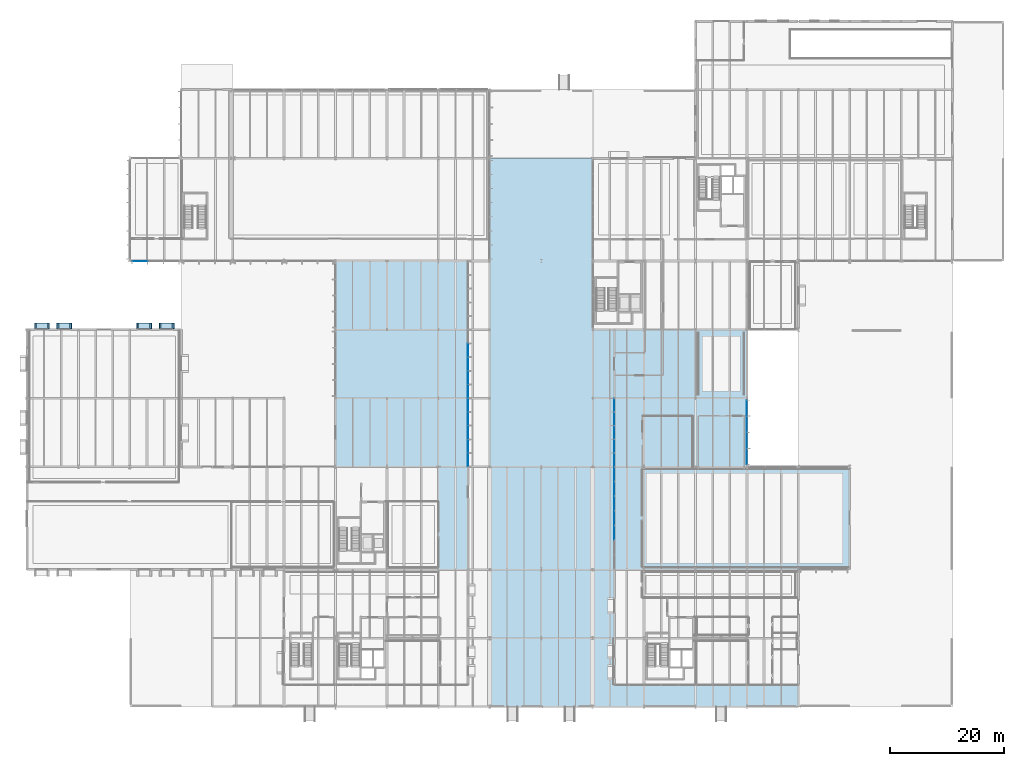
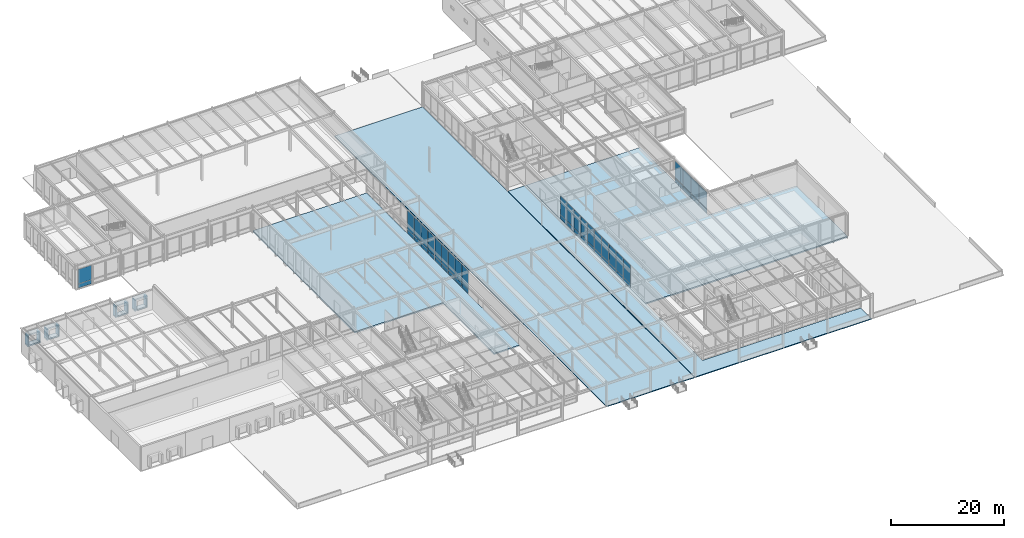
# One storey, part 106 of 143: 64 plates, 4 slabs, 6 elements without a shape of their own.
"""IFC4 building model written with IfcOpenShell, lengths in metres."""

from ifc_helpers import new_model, si_unit, direction, frame, origin, origin_2d, place, context, subcontext, project, spatial, polyline, rectangle, outline, extrude, material, layer, layer_set, type_object, element, aggregate, save


model = new_model("IFC4")

# Units and contexts
model_context = context("Model", 3, precision=1e-05, world=origin(), true_north=direction((0.0, 1.0)))
body_context = subcontext(model_context, "Body", "Model", "MODEL_VIEW")
ifc_project = project(units=[si_unit("LENGTHUNIT", "METRE"), si_unit("AREAUNIT", "SQUARE_METRE"), si_unit("VOLUMEUNIT", "CUBIC_METRE"), si_unit("PLANEANGLEUNIT", "RADIAN"), si_unit("MASSUNIT", "GRAM", prefix="KILO")], contexts=[model_context])

# Site, building, storey
site_placement = place(None, origin())
site = spatial("IfcSite", under=ifc_project, at=site_placement, CompositionType="ELEMENT")
building_placement = place(site_placement, origin())
building = spatial("IfcBuilding", under=site, at=building_placement, Name="Montelvaro Courts of Justice", CompositionType="ELEMENT")
storey_placement = place(building_placement, origin())
storey = spatial("IfcBuildingStorey", under=building, at=storey_placement, Name="L00", CompositionType="ELEMENT", Elevation=0.0)

# Curtain wall, plates
ifc_material_1 = material(Name="Anodised aluminium EN AW-6063", Category="aluminium")
ifc_layer_1 = layer(ifc_material_1, 0.159912109375)
ifc_layer_set_1 = layer_set([ifc_layer_1], Name="Anodised aluminium EN AW-6063")
curtain_wall_type_1 = type_object("IfcCurtainWallType", Name="CurtainWall_01_827x508", PredefinedType="USERDEFINED", material=ifc_layer_set_1)
curtain_wall_1_placement = place(storey_placement, origin())
curtain_wall_1 = element("IfcCurtainWall", 1, at=curtain_wall_1_placement, inside=storey, type_object=curtain_wall_type_1, Name="Curtain Wall CW-01 (L00)", ObjectType="CURTAIN WALL", PredefinedType="USERDEFINED")
ifc_material_2 = material(Name="Low-E solar control double glazing", Category="glass")
ifc_layer_2 = layer(ifc_material_2, 0.028076171875)
ifc_layer_set_2 = layer_set([ifc_layer_2], Name="Low-E solar control double glazing")
plate_type_1 = type_object("IfcPlateType", Name="CurtainWall_Glazed_Panel_28", PredefinedType="CURTAIN_PANEL", material=ifc_layer_set_2)
plate_1_placement = place(storey_placement, frame((19.75830078125, 78.0, 0.06005859375), z_axis=(0.0, 0.0, 1.0), x_axis=(1.0, 0.0, 0.0)))
plate_1 = element("IfcPlate", 2, at=plate_1_placement, type_object=plate_type_1, Name="CW-01 panel 1.1", PredefinedType="CURTAIN_PANEL", context=body_context, shape_type="SweptSolid", body=[
    extrude(rectangle(XDim=2.666748046875, YDim=0.028076171875, at=origin_2d()), origin(), (0.0, 0.0, 1.0), 0.860107421875),
])
plate_2_placement = place(storey_placement, frame((19.75830078125, 78.0, 0.97998046875), z_axis=(0.0, 0.0, 1.0), x_axis=(1.0, 0.0, 0.0)))
plate_2 = element("IfcPlate", 3, at=plate_2_placement, type_object=plate_type_1, Name="CW-01 panel 1.2", PredefinedType="CURTAIN_PANEL", context=body_context, shape_type="SweptSolid", body=[
    extrude(rectangle(XDim=2.666748046875, YDim=0.028076171875, at=origin_2d()), origin(), (0.0, 0.0, 1.0), 3.125),
])
aggregate(curtain_wall_1, [plate_1, plate_2])

ifc_layer_3 = layer(ifc_material_1, 0.159912109375)
ifc_layer_set_3 = layer_set([ifc_layer_3], Name="Anodised aluminium EN AW-6063")
curtain_wall_type_2 = type_object("IfcCurtainWallType", Name="CurtainWall_06_1200x508", PredefinedType="USERDEFINED", material=ifc_layer_set_3)
curtain_wall_2_placement = place(storey_placement, origin())
curtain_wall_2 = element("IfcCurtainWall", 4, at=curtain_wall_2_placement, inside=storey, type_object=curtain_wall_type_2, Name="Curtain Wall CW-06 (L00)", ObjectType="CURTAIN WALL", PredefinedType="USERDEFINED")
plate_3_placement = place(storey_placement, frame((77.199951171875, 43.215087890625, 0.074951171875), z_axis=(0.0, 0.0, 1.0), x_axis=(0.0, 1.0, 0.0)))
plate_3 = element("IfcPlate", 5, at=plate_3_placement, type_object=plate_type_1, Name="CW-06 panel 1.1", PredefinedType="CURTAIN_PANEL", context=body_context, shape_type="SweptSolid", body=[
    extrude(rectangle(XDim=2.31005859375, YDim=0.028076171875, at=origin_2d()), origin(), (0.0, 0.0, 1.0), 0.83740234375),
])
plate_4_placement = place(storey_placement, frame((77.199951171875, 43.215087890625, 0.987548828125), z_axis=(0.0, 0.0, 1.0), x_axis=(0.0, 1.0, 0.0)))
plate_4 = element("IfcPlate", 6, at=plate_4_placement, type_object=plate_type_1, Name="CW-06 panel 1.2", PredefinedType="CURTAIN_PANEL", context=body_context, shape_type="SweptSolid", body=[
    extrude(rectangle(XDim=2.31005859375, YDim=0.028076171875, at=origin_2d()), origin(), (0.0, 0.0, 1.0), 4.017578125),
])
plate_5_placement = place(storey_placement, frame((77.199951171875, 45.60009765625, 0.074951171875), z_axis=(0.0, 0.0, 1.0), x_axis=(0.0, 1.0, 0.0)))
plate_5 = element("IfcPlate", 7, at=plate_5_placement, type_object=plate_type_1, Name="CW-06 panel 2.1", PredefinedType="CURTAIN_PANEL", context=body_context, shape_type="SweptSolid", body=[
    extrude(rectangle(XDim=2.340087890625, YDim=0.028076171875, at=origin_2d()), origin(), (0.0, 0.0, 1.0), 0.83740234375),
])
plate_6_placement = place(storey_placement, frame((77.199951171875, 45.60009765625, 0.987548828125), z_axis=(0.0, 0.0, 1.0), x_axis=(0.0, 1.0, 0.0)))
plate_6 = element("IfcPlate", 8, at=plate_6_placement, type_object=plate_type_1, Name="CW-06 panel 2.2", PredefinedType="CURTAIN_PANEL", context=body_context, shape_type="SweptSolid", body=[
    extrude(rectangle(XDim=2.340087890625, YDim=0.028076171875, at=origin_2d()), origin(), (0.0, 0.0, 1.0), 4.017578125),
])
plate_7_placement = place(storey_placement, frame((77.199951171875, 48.0, 0.074951171875), z_axis=(0.0, 0.0, 1.0), x_axis=(0.0, 1.0, 0.0)))
plate_7 = element("IfcPlate", 9, at=plate_7_placement, type_object=plate_type_1, Name="CW-06 panel 3.1", PredefinedType="CURTAIN_PANEL", context=body_context, shape_type="SweptSolid", body=[
    extrude(rectangle(XDim=2.340087890625, YDim=0.028076171875, at=origin_2d()), origin(), (0.0, 0.0, 1.0), 0.83740234375),
])
plate_8_placement = place(storey_placement, frame((77.199951171875, 48.0, 0.987548828125), z_axis=(0.0, 0.0, 1.0), x_axis=(0.0, 1.0, 0.0)))
plate_8 = element("IfcPlate", 10, at=plate_8_placement, type_object=plate_type_1, Name="CW-06 panel 3.2", PredefinedType="CURTAIN_PANEL", context=body_context, shape_type="SweptSolid", body=[
    extrude(rectangle(XDim=2.340087890625, YDim=0.028076171875, at=origin_2d()), origin(), (0.0, 0.0, 1.0), 4.017578125),
])
plate_9_placement = place(storey_placement, frame((77.199951171875, 50.39990234375, 0.074951171875), z_axis=(0.0, 0.0, 1.0), x_axis=(0.0, 1.0, 0.0)))
plate_9 = element("IfcPlate", 11, at=plate_9_placement, type_object=plate_type_1, Name="CW-06 panel 4.1", PredefinedType="CURTAIN_PANEL", context=body_context, shape_type="SweptSolid", body=[
    extrude(rectangle(XDim=2.340087890625, YDim=0.028076171875, at=origin_2d()), origin(), (0.0, 0.0, 1.0), 0.83740234375),
])
plate_10_placement = place(storey_placement, frame((77.199951171875, 50.39990234375, 0.987548828125), z_axis=(0.0, 0.0, 1.0), x_axis=(0.0, 1.0, 0.0)))
plate_10 = element("IfcPlate", 12, at=plate_10_placement, type_object=plate_type_1, Name="CW-06 panel 4.2", PredefinedType="CURTAIN_PANEL", context=body_context, shape_type="SweptSolid", body=[
    extrude(rectangle(XDim=2.340087890625, YDim=0.028076171875, at=origin_2d()), origin(), (0.0, 0.0, 1.0), 4.017578125),
])
plate_11_placement = place(storey_placement, frame((77.199951171875, 52.784912109375, 0.074951171875), z_axis=(0.0, 0.0, 1.0), x_axis=(0.0, 1.0, 0.0)))
plate_11 = element("IfcPlate", 13, at=plate_11_placement, type_object=plate_type_1, Name="CW-06 panel 5.1", PredefinedType="CURTAIN_PANEL", context=body_context, shape_type="SweptSolid", body=[
    extrude(rectangle(XDim=2.31005859375, YDim=0.028076171875, at=origin_2d()), origin(), (0.0, 0.0, 1.0), 0.83740234375),
])
plate_12_placement = place(storey_placement, frame((77.199951171875, 52.784912109375, 0.987548828125), z_axis=(0.0, 0.0, 1.0), x_axis=(0.0, 1.0, 0.0)))
plate_12 = element("IfcPlate", 14, at=plate_12_placement, type_object=plate_type_1, Name="CW-06 panel 5.2", PredefinedType="CURTAIN_PANEL", context=body_context, shape_type="SweptSolid", body=[
    extrude(rectangle(XDim=2.31005859375, YDim=0.028076171875, at=origin_2d()), origin(), (0.0, 0.0, 1.0), 4.017578125),
])
aggregate(curtain_wall_2, [plate_3, plate_4, plate_5, plate_6, plate_7, plate_8, plate_9, plate_10, plate_11, plate_12])

curtain_wall_3_placement = place(storey_placement, origin())
curtain_wall_3 = element("IfcCurtainWall", 15, at=curtain_wall_3_placement, inside=storey, type_object=curtain_wall_type_2, Name="Curtain Wall CW-06 (L00)", ObjectType="CURTAIN WALL", PredefinedType="USERDEFINED")
plate_13_placement = place(storey_placement, frame((77.199951171875, 55.215087890625, 0.06005859375), z_axis=(0.0, 0.0, 1.0), x_axis=(0.0, 1.0, 0.0)))
plate_13 = element("IfcPlate", 16, at=plate_13_placement, type_object=plate_type_1, Name="CW-06 panel 1.1", PredefinedType="CURTAIN_PANEL", context=body_context, shape_type="SweptSolid", body=[
    extrude(rectangle(XDim=2.31005859375, YDim=0.028076171875, at=origin_2d()), origin(), (0.0, 0.0, 1.0), 0.860107421875),
])
plate_14_placement = place(storey_placement, frame((77.199951171875, 55.215087890625, 0.97998046875), z_axis=(0.0, 0.0, 1.0), x_axis=(0.0, 1.0, 0.0)))
plate_14 = element("IfcPlate", 17, at=plate_14_placement, type_object=plate_type_1, Name="CW-06 panel 1.2", PredefinedType="CURTAIN_PANEL", context=body_context, shape_type="SweptSolid", body=[
    extrude(rectangle(XDim=2.31005859375, YDim=0.028076171875, at=origin_2d()), origin(), (0.0, 0.0, 1.0), 4.0400390625),
])
plate_15_placement = place(storey_placement, frame((77.199951171875, 57.60009765625, 0.06005859375), z_axis=(0.0, 0.0, 1.0), x_axis=(0.0, 1.0, 0.0)))
plate_15 = element("IfcPlate", 18, at=plate_15_placement, type_object=plate_type_1, Name="CW-06 panel 2.1", PredefinedType="CURTAIN_PANEL", context=body_context, shape_type="SweptSolid", body=[
    extrude(rectangle(XDim=2.340087890625, YDim=0.028076171875, at=origin_2d()), origin(), (0.0, 0.0, 1.0), 0.860107421875),
])
plate_16_placement = place(storey_placement, frame((77.199951171875, 57.60009765625, 0.97998046875), z_axis=(0.0, 0.0, 1.0), x_axis=(0.0, 1.0, 0.0)))
plate_16 = element("IfcPlate", 19, at=plate_16_placement, type_object=plate_type_1, Name="CW-06 panel 2.2", PredefinedType="CURTAIN_PANEL", context=body_context, shape_type="SweptSolid", body=[
    extrude(rectangle(XDim=2.340087890625, YDim=0.028076171875, at=origin_2d()), origin(), (0.0, 0.0, 1.0), 4.0400390625),
])
plate_17_placement = place(storey_placement, frame((77.199951171875, 60.0, 0.06005859375), z_axis=(0.0, 0.0, 1.0), x_axis=(0.0, 1.0, 0.0)))
plate_17 = element("IfcPlate", 20, at=plate_17_placement, type_object=plate_type_1, Name="CW-06 panel 3.1", PredefinedType="CURTAIN_PANEL", context=body_context, shape_type="SweptSolid", body=[
    extrude(rectangle(XDim=2.340087890625, YDim=0.028076171875, at=origin_2d()), origin(), (0.0, 0.0, 1.0), 0.860107421875),
])
plate_18_placement = place(storey_placement, frame((77.199951171875, 60.0, 0.97998046875), z_axis=(0.0, 0.0, 1.0), x_axis=(0.0, 1.0, 0.0)))
plate_18 = element("IfcPlate", 21, at=plate_18_placement, type_object=plate_type_1, Name="CW-06 panel 3.2", PredefinedType="CURTAIN_PANEL", context=body_context, shape_type="SweptSolid", body=[
    extrude(rectangle(XDim=2.340087890625, YDim=0.028076171875, at=origin_2d()), origin(), (0.0, 0.0, 1.0), 4.0400390625),
])
plate_19_placement = place(storey_placement, frame((77.199951171875, 62.39990234375, 0.06005859375), z_axis=(0.0, 0.0, 1.0), x_axis=(0.0, 1.0, 0.0)))
plate_19 = element("IfcPlate", 22, at=plate_19_placement, type_object=plate_type_1, Name="CW-06 panel 4.1", PredefinedType="CURTAIN_PANEL", context=body_context, shape_type="SweptSolid", body=[
    extrude(rectangle(XDim=2.340087890625, YDim=0.028076171875, at=origin_2d()), origin(), (0.0, 0.0, 1.0), 0.860107421875),
])
plate_20_placement = place(storey_placement, frame((77.199951171875, 62.39990234375, 0.97998046875), z_axis=(0.0, 0.0, 1.0), x_axis=(0.0, 1.0, 0.0)))
plate_20 = element("IfcPlate", 23, at=plate_20_placement, type_object=plate_type_1, Name="CW-06 panel 4.2", PredefinedType="CURTAIN_PANEL", context=body_context, shape_type="SweptSolid", body=[
    extrude(rectangle(XDim=2.340087890625, YDim=0.028076171875, at=origin_2d()), origin(), (0.0, 0.0, 1.0), 4.0400390625),
])
aggregate(curtain_wall_3, [plate_13, plate_14, plate_15, plate_16, plate_17, plate_18, plate_19, plate_20])

ifc_layer_4 = layer(ifc_material_1, 0.159912109375)
ifc_layer_set_4 = layer_set([ifc_layer_4], Name="Anodised aluminium EN AW-6063")
curtain_wall_type_3 = type_object("IfcCurtainWallType", Name="CurtainWall_03_1132x508", PredefinedType="USERDEFINED", material=ifc_layer_set_4)
curtain_wall_4_placement = place(storey_placement, origin())
curtain_wall_4 = element("IfcCurtainWall", 24, at=curtain_wall_4_placement, inside=storey, type_object=curtain_wall_type_3, Name="Curtain Wall CW-03 (L00)", ObjectType="CURTAIN WALL", PredefinedType="USERDEFINED")
plate_21_placement = place(storey_placement, frame((126.0, 43.794921875, 0.06005859375), z_axis=(0.0, 0.0, 1.0), x_axis=(0.0, 1.0, 0.0)))
plate_21 = element("IfcPlate", 25, at=plate_21_placement, type_object=plate_type_1, Name="CW-03 panel 1.1", PredefinedType="CURTAIN_PANEL", context=body_context, shape_type="SweptSolid", body=[
    extrude(rectangle(XDim=2.739990234375, YDim=0.028076171875, at=origin_2d()), origin(), (0.0, 0.0, 1.0), 0.860107421875),
])
plate_22_placement = place(storey_placement, frame((126.0, 43.794921875, 0.97998046875), z_axis=(0.0, 0.0, 1.0), x_axis=(0.0, 1.0, 0.0)))
plate_22 = element("IfcPlate", 26, at=plate_22_placement, type_object=plate_type_1, Name="CW-03 panel 1.2", PredefinedType="CURTAIN_PANEL", context=body_context, shape_type="SweptSolid", body=[
    extrude(rectangle(XDim=2.739990234375, YDim=0.028076171875, at=origin_2d()), origin(), (0.0, 0.0, 1.0), 3.5849609375),
])
plate_23_placement = place(storey_placement, frame((126.0, 46.610107421875, 0.06005859375), z_axis=(0.0, 0.0, 1.0), x_axis=(0.0, 1.0, 0.0)))
plate_23 = element("IfcPlate", 27, at=plate_23_placement, type_object=plate_type_1, Name="CW-03 panel 2.1", PredefinedType="CURTAIN_PANEL", context=body_context, shape_type="SweptSolid", body=[
    extrude(rectangle(XDim=2.77001953125, YDim=0.028076171875, at=origin_2d()), origin(), (0.0, 0.0, 1.0), 0.860107421875),
])
plate_24_placement = place(storey_placement, frame((126.0, 46.610107421875, 0.97998046875), z_axis=(0.0, 0.0, 1.0), x_axis=(0.0, 1.0, 0.0)))
plate_24 = element("IfcPlate", 28, at=plate_24_placement, type_object=plate_type_1, Name="CW-03 panel 2.2", PredefinedType="CURTAIN_PANEL", context=body_context, shape_type="SweptSolid", body=[
    extrude(rectangle(XDim=2.77001953125, YDim=0.028076171875, at=origin_2d()), origin(), (0.0, 0.0, 1.0), 3.5849609375),
])
plate_25_placement = place(storey_placement, frame((126.0, 49.43994140625, 0.06005859375), z_axis=(0.0, 0.0, 1.0), x_axis=(0.0, 1.0, 0.0)))
plate_25 = element("IfcPlate", 29, at=plate_25_placement, type_object=plate_type_1, Name="CW-03 panel 3.1", PredefinedType="CURTAIN_PANEL", context=body_context, shape_type="SweptSolid", body=[
    extrude(rectangle(XDim=2.77001953125, YDim=0.028076171875, at=origin_2d()), origin(), (0.0, 0.0, 1.0), 0.860107421875),
])
plate_26_placement = place(storey_placement, frame((126.0, 49.43994140625, 0.97998046875), z_axis=(0.0, 0.0, 1.0), x_axis=(0.0, 1.0, 0.0)))
plate_26 = element("IfcPlate", 30, at=plate_26_placement, type_object=plate_type_1, Name="CW-03 panel 3.2", PredefinedType="CURTAIN_PANEL", context=body_context, shape_type="SweptSolid", body=[
    extrude(rectangle(XDim=2.77001953125, YDim=0.028076171875, at=origin_2d()), origin(), (0.0, 0.0, 1.0), 3.5849609375),
])
plate_27_placement = place(storey_placement, frame((126.0, 52.2548828125, 0.06005859375), z_axis=(0.0, 0.0, 1.0), x_axis=(0.0, 1.0, 0.0)))
plate_27 = element("IfcPlate", 31, at=plate_27_placement, type_object=plate_type_1, Name="CW-03 panel 4.1", PredefinedType="CURTAIN_PANEL", context=body_context, shape_type="SweptSolid", body=[
    extrude(rectangle(XDim=2.739990234375, YDim=0.028076171875, at=origin_2d()), origin(), (0.0, 0.0, 1.0), 0.860107421875),
])
plate_28_placement = place(storey_placement, frame((126.0, 52.2548828125, 0.97998046875), z_axis=(0.0, 0.0, 1.0), x_axis=(0.0, 1.0, 0.0)))
plate_28 = element("IfcPlate", 32, at=plate_28_placement, type_object=plate_type_1, Name="CW-03 panel 4.2", PredefinedType="CURTAIN_PANEL", context=body_context, shape_type="SweptSolid", body=[
    extrude(rectangle(XDim=2.739990234375, YDim=0.028076171875, at=origin_2d()), origin(), (0.0, 0.0, 1.0), 3.5849609375),
])
aggregate(curtain_wall_4, [plate_21, plate_22, plate_23, plate_24, plate_25, plate_26, plate_27, plate_28])

curtain_wall_5_placement = place(storey_placement, origin())
curtain_wall_5 = element("IfcCurtainWall", 33, at=curtain_wall_5_placement, inside=storey, type_object=curtain_wall_type_2, Name="Curtain Wall CW-06 (L00)", ObjectType="CURTAIN WALL", PredefinedType="USERDEFINED")
plate_29_placement = place(storey_placement, frame((102.800048828125, 52.78369140625, 0.074951171875), z_axis=(0.0, 0.0, 1.0), x_axis=(0.0, -1.0, 0.0)))
plate_29 = element("IfcPlate", 34, at=plate_29_placement, type_object=plate_type_1, Name="CW-06 panel 1.1", PredefinedType="CURTAIN_PANEL", context=body_context, shape_type="SweptSolid", body=[
    extrude(rectangle(XDim=2.302490234375, YDim=0.028076171875, at=origin_2d()), origin(), (0.0, 0.0, 1.0), 0.83740234375),
])
plate_30_placement = place(storey_placement, frame((102.800048828125, 52.78369140625, 0.987548828125), z_axis=(0.0, 0.0, 1.0), x_axis=(0.0, -1.0, 0.0)))
plate_30 = element("IfcPlate", 35, at=plate_30_placement, type_object=plate_type_1, Name="CW-06 panel 1.2", PredefinedType="CURTAIN_PANEL", context=body_context, shape_type="SweptSolid", body=[
    extrude(rectangle(XDim=2.302490234375, YDim=0.028076171875, at=origin_2d()), origin(), (0.0, 0.0, 1.0), 4.017578125),
])
plate_31_placement = place(storey_placement, frame((102.800048828125, 50.39990234375, 0.074951171875), z_axis=(0.0, 0.0, 1.0), x_axis=(0.0, -1.0, 0.0)))
plate_31 = element("IfcPlate", 36, at=plate_31_placement, type_object=plate_type_1, Name="CW-06 panel 2.1", PredefinedType="CURTAIN_PANEL", context=body_context, shape_type="SweptSolid", body=[
    extrude(rectangle(XDim=2.3349609375, YDim=0.028076171875, at=origin_2d()), origin(), (0.0, 0.0, 1.0), 0.83740234375),
])
plate_32_placement = place(storey_placement, frame((102.800048828125, 50.39990234375, 0.987548828125), z_axis=(0.0, 0.0, 1.0), x_axis=(0.0, -1.0, 0.0)))
plate_32 = element("IfcPlate", 37, at=plate_32_placement, type_object=plate_type_1, Name="CW-06 panel 2.2", PredefinedType="CURTAIN_PANEL", context=body_context, shape_type="SweptSolid", body=[
    extrude(rectangle(XDim=2.3349609375, YDim=0.028076171875, at=origin_2d()), origin(), (0.0, 0.0, 1.0), 4.017578125),
])
plate_33_placement = place(storey_placement, frame((102.800048828125, 48.0, 0.074951171875), z_axis=(0.0, 0.0, 1.0), x_axis=(0.0, -1.0, 0.0)))
plate_33 = element("IfcPlate", 38, at=plate_33_placement, type_object=plate_type_1, Name="CW-06 panel 3.1", PredefinedType="CURTAIN_PANEL", context=body_context, shape_type="SweptSolid", body=[
    extrude(rectangle(XDim=2.3349609375, YDim=0.028076171875, at=origin_2d()), origin(), (0.0, 0.0, 1.0), 0.83740234375),
])
plate_34_placement = place(storey_placement, frame((102.800048828125, 48.0, 0.987548828125), z_axis=(0.0, 0.0, 1.0), x_axis=(0.0, -1.0, 0.0)))
plate_34 = element("IfcPlate", 39, at=plate_34_placement, type_object=plate_type_1, Name="CW-06 panel 3.2", PredefinedType="CURTAIN_PANEL", context=body_context, shape_type="SweptSolid", body=[
    extrude(rectangle(XDim=2.3349609375, YDim=0.028076171875, at=origin_2d()), origin(), (0.0, 0.0, 1.0), 4.017578125),
])
plate_35_placement = place(storey_placement, frame((102.800048828125, 45.60009765625, 0.074951171875), z_axis=(0.0, 0.0, 1.0), x_axis=(0.0, -1.0, 0.0)))
plate_35 = element("IfcPlate", 40, at=plate_35_placement, type_object=plate_type_1, Name="CW-06 panel 4.1", PredefinedType="CURTAIN_PANEL", context=body_context, shape_type="SweptSolid", body=[
    extrude(rectangle(XDim=2.3349609375, YDim=0.028076171875, at=origin_2d()), origin(), (0.0, 0.0, 1.0), 0.83740234375),
])
plate_36_placement = place(storey_placement, frame((102.800048828125, 45.60009765625, 0.987548828125), z_axis=(0.0, 0.0, 1.0), x_axis=(0.0, -1.0, 0.0)))
plate_36 = element("IfcPlate", 41, at=plate_36_placement, type_object=plate_type_1, Name="CW-06 panel 4.2", PredefinedType="CURTAIN_PANEL", context=body_context, shape_type="SweptSolid", body=[
    extrude(rectangle(XDim=2.3349609375, YDim=0.028076171875, at=origin_2d()), origin(), (0.0, 0.0, 1.0), 4.017578125),
])
plate_37_placement = place(storey_placement, frame((102.800048828125, 43.21630859375, 0.074951171875), z_axis=(0.0, 0.0, 1.0), x_axis=(0.0, -1.0, 0.0)))
plate_37 = element("IfcPlate", 42, at=plate_37_placement, type_object=plate_type_1, Name="CW-06 panel 5.1", PredefinedType="CURTAIN_PANEL", context=body_context, shape_type="SweptSolid", body=[
    extrude(rectangle(XDim=2.302490234375, YDim=0.028076171875, at=origin_2d()), origin(), (0.0, 0.0, 1.0), 0.83740234375),
])
plate_38_placement = place(storey_placement, frame((102.800048828125, 43.21630859375, 0.987548828125), z_axis=(0.0, 0.0, 1.0), x_axis=(0.0, -1.0, 0.0)))
plate_38 = element("IfcPlate", 43, at=plate_38_placement, type_object=plate_type_1, Name="CW-06 panel 5.2", PredefinedType="CURTAIN_PANEL", context=body_context, shape_type="SweptSolid", body=[
    extrude(rectangle(XDim=2.302490234375, YDim=0.028076171875, at=origin_2d()), origin(), (0.0, 0.0, 1.0), 4.017578125),
])
aggregate(curtain_wall_5, [plate_29, plate_30, plate_31, plate_32, plate_33, plate_34, plate_35, plate_36, plate_37, plate_38])

ifc_layer_5 = layer(ifc_material_1, 0.159912109375)
ifc_layer_set_5 = layer_set([ifc_layer_5], Name="Anodised aluminium EN AW-6063")
curtain_wall_type_4 = type_object("IfcCurtainWallType", Name="CurtainWall_09_1796x508", PredefinedType="USERDEFINED", material=ifc_layer_set_5)
curtain_wall_6_placement = place(storey_placement, origin())
curtain_wall_6 = element("IfcCurtainWall", 44, at=curtain_wall_6_placement, inside=storey, type_object=curtain_wall_type_4, Name="Curtain Wall CW-09 (L00)", ObjectType="CURTAIN WALL", PredefinedType="USERDEFINED")
plate_39_placement = place(storey_placement, frame((102.800048828125, 40.698486328125, 0.074951171875), z_axis=(0.0, 0.0, 1.0), x_axis=(0.0, -1.0, 0.0)))
plate_39 = element("IfcPlate", 45, at=plate_39_placement, type_object=plate_type_1, Name="CW-09 panel 1.1", PredefinedType="CURTAIN_PANEL", context=body_context, shape_type="SweptSolid", body=[
    extrude(rectangle(XDim=2.453125, YDim=0.028076171875, at=origin_2d()), origin(), (0.0, 0.0, 1.0), 0.83740234375),
])
plate_40_placement = place(storey_placement, frame((102.800048828125, 40.698486328125, 0.987548828125), z_axis=(0.0, 0.0, 1.0), x_axis=(0.0, -1.0, 0.0)))
plate_40 = element("IfcPlate", 46, at=plate_40_placement, type_object=plate_type_1, Name="CW-09 panel 1.2", PredefinedType="CURTAIN_PANEL", context=body_context, shape_type="SweptSolid", body=[
    extrude(rectangle(XDim=2.453125, YDim=0.028076171875, at=origin_2d()), origin(), (0.0, 0.0, 1.0), 4.017578125),
])
plate_41_placement = place(storey_placement, frame((102.800048828125, 38.1513671875, 0.074951171875), z_axis=(0.0, 0.0, 1.0), x_axis=(0.0, -1.0, 0.0)))
plate_41 = element("IfcPlate", 47, at=plate_41_placement, type_object=plate_type_1, Name="CW-09 panel 2.1", PredefinedType="CURTAIN_PANEL", context=body_context, shape_type="SweptSolid", body=[
    extrude(rectangle(XDim=2.49072265625, YDim=0.028076171875, at=origin_2d()), origin(), (0.0, 0.0, 1.0), 0.83740234375),
])
plate_42_placement = place(storey_placement, frame((102.800048828125, 38.1513671875, 0.987548828125), z_axis=(0.0, 0.0, 1.0), x_axis=(0.0, -1.0, 0.0)))
plate_42 = element("IfcPlate", 48, at=plate_42_placement, type_object=plate_type_1, Name="CW-09 panel 2.2", PredefinedType="CURTAIN_PANEL", context=body_context, shape_type="SweptSolid", body=[
    extrude(rectangle(XDim=2.49072265625, YDim=0.028076171875, at=origin_2d()), origin(), (0.0, 0.0, 1.0), 4.017578125),
])
plate_43_placement = place(storey_placement, frame((102.800048828125, 35.585693359375, 0.074951171875), z_axis=(0.0, 0.0, 1.0), x_axis=(0.0, -1.0, 0.0)))
plate_43 = element("IfcPlate", 49, at=plate_43_placement, type_object=plate_type_1, Name="CW-09 panel 3.1", PredefinedType="CURTAIN_PANEL", context=body_context, shape_type="SweptSolid", body=[
    extrude(rectangle(XDim=2.49072265625, YDim=0.028076171875, at=origin_2d()), origin(), (0.0, 0.0, 1.0), 0.83740234375),
])
plate_44_placement = place(storey_placement, frame((102.800048828125, 35.585693359375, 0.987548828125), z_axis=(0.0, 0.0, 1.0), x_axis=(0.0, -1.0, 0.0)))
plate_44 = element("IfcPlate", 50, at=plate_44_placement, type_object=plate_type_1, Name="CW-09 panel 3.2", PredefinedType="CURTAIN_PANEL", context=body_context, shape_type="SweptSolid", body=[
    extrude(rectangle(XDim=2.49072265625, YDim=0.028076171875, at=origin_2d()), origin(), (0.0, 0.0, 1.0), 4.017578125),
])
plate_45_placement = place(storey_placement, frame((102.800048828125, 33.02001953125, 0.074951171875), z_axis=(0.0, 0.0, 1.0), x_axis=(0.0, -1.0, 0.0)))
plate_45 = element("IfcPlate", 51, at=plate_45_placement, type_object=plate_type_1, Name="CW-09 panel 4.1", PredefinedType="CURTAIN_PANEL", context=body_context, shape_type="SweptSolid", body=[
    extrude(rectangle(XDim=2.49072265625, YDim=0.028076171875, at=origin_2d()), origin(), (0.0, 0.0, 1.0), 0.83740234375),
])
plate_46_placement = place(storey_placement, frame((102.800048828125, 33.02001953125, 0.987548828125), z_axis=(0.0, 0.0, 1.0), x_axis=(0.0, -1.0, 0.0)))
plate_46 = element("IfcPlate", 52, at=plate_46_placement, type_object=plate_type_1, Name="CW-09 panel 4.2", PredefinedType="CURTAIN_PANEL", context=body_context, shape_type="SweptSolid", body=[
    extrude(rectangle(XDim=2.49072265625, YDim=0.028076171875, at=origin_2d()), origin(), (0.0, 0.0, 1.0), 4.017578125),
])
plate_47_placement = place(storey_placement, frame((102.800048828125, 30.454345703125, 0.074951171875), z_axis=(0.0, 0.0, 1.0), x_axis=(0.0, -1.0, 0.0)))
plate_47 = element("IfcPlate", 53, at=plate_47_placement, type_object=plate_type_1, Name="CW-09 panel 5.1", PredefinedType="CURTAIN_PANEL", context=body_context, shape_type="SweptSolid", body=[
    extrude(rectangle(XDim=2.49072265625, YDim=0.028076171875, at=origin_2d()), origin(), (0.0, 0.0, 1.0), 0.83740234375),
])
plate_48_placement = place(storey_placement, frame((102.800048828125, 30.454345703125, 0.987548828125), z_axis=(0.0, 0.0, 1.0), x_axis=(0.0, -1.0, 0.0)))
plate_48 = element("IfcPlate", 54, at=plate_48_placement, type_object=plate_type_1, Name="CW-09 panel 5.2", PredefinedType="CURTAIN_PANEL", context=body_context, shape_type="SweptSolid", body=[
    extrude(rectangle(XDim=2.49072265625, YDim=0.028076171875, at=origin_2d()), origin(), (0.0, 0.0, 1.0), 4.017578125),
])
aggregate(curtain_wall_6, [plate_39, plate_40, plate_41, plate_42, plate_43, plate_44, plate_45, plate_46, plate_47, plate_48])

# Slabs
ifc_material_3 = material(Name="Concrete C35/45", Category="concrete")
ifc_layer_6 = layer(ifc_material_3, 0.280029296875)
ifc_layer_set_6 = layer_set([ifc_layer_6], Name="Concrete C35/45")
slab_type_1 = type_object("IfcSlabType", Name="FloorSlab_280", PredefinedType="FLOOR", material=ifc_layer_set_6)
slab_1_placement = place(storey_placement, frame((0.0, 0.0, -0.280029296875)))
element("IfcSlab", 55, at=slab_1_placement, inside=storey, type_object=slab_type_1, Name="Structural Slab SF-04 L00", PredefinedType="FLOOR", context=body_context, shape_type="SweptSolid", body=[
    extrude(outline(polyline([(72.0, 24.0), (77.199951171875, 24.0), (77.199951171875, 78.0), (54.0, 78.0), (54.0, 42.0), (72.0, 42.0), (72.0, 24.0)])), origin(), (0.0, 0.0, 1.0), 0.280029296875),
])
slab_2_placement = place(storey_placement, frame((0.0, 0.0, -0.280029296875)))
element("IfcSlab", 56, at=slab_2_placement, inside=storey, type_object=slab_type_1, Name="Structural Slab SF-04 L00", PredefinedType="FLOOR", context=body_context, shape_type="SweptSolid", body=[
    extrude(outline(polyline([(102.800048828125, 24.0), (144.0, 24.0), (144.0, 42.0), (126.0, 42.0), (126.0, 66.0), (102.800048828125, 66.0), (102.800048828125, 24.0)])), origin(), (0.0, 0.0, 1.0), 0.280029296875),
])
ifc_layer_7 = layer(ifc_material_3, 0.179931640625)
ifc_layer_set_7 = layer_set([ifc_layer_7], Name="Concrete C35/45")
slab_type_2 = type_object("IfcSlabType", Name="PavingSlab_180", PredefinedType="USERDEFINED", material=ifc_layer_set_7)
slab_3_placement = place(storey_placement, frame((0.0, 0.0, -0.179931640625)))
element("IfcSlab", 57, at=slab_3_placement, inside=storey, type_object=slab_type_2, Name="Exterior Civic Paving SP-01", ObjectType="PAVING", PredefinedType="USERDEFINED", context=body_context, shape_type="SweptSolid", body=[
    extrude(outline(polyline([(81.050048828125, 0.0), (81.050048828125, 78.0), (81.050048828125, 96.0), (98.949951171875, 96.0), (98.949951171875, 78.0), (98.949951171875, 0.0), (81.050048828125, 0.0)])), origin(), (0.0, 0.0, 1.0), 0.179931640625),
])
slab_4_placement = place(storey_placement, frame((0.0, 0.0, -0.179931640625)))
element("IfcSlab", 58, at=slab_4_placement, inside=storey, type_object=slab_type_2, Name="Exterior Civic Paving SP-01", ObjectType="PAVING", PredefinedType="USERDEFINED", context=body_context, shape_type="SweptSolid", body=[
    extrude(outline(polyline([(135.0, 0.0), (99.050048828125, 0.0), (99.050048828125, 65.97998046875), (102.780029296875, 65.97998046875), (102.780029296875, 3.800048828125), (102.780029296875, 3.798095703125), (102.780029296875, 3.7958984375), (102.781005859375, 3.7939453125), (102.781982421875, 3.7919921875), (102.781982421875, 3.791015625), (102.782958984375, 3.7890625), (102.784912109375, 3.787109375), (102.785888671875, 3.785888671875), (102.787109375, 3.784912109375), (102.7890625, 3.782958984375), (102.791015625, 3.781982421875), (102.7919921875, 3.781982421875), (102.7939453125, 3.781005859375), (102.7958984375, 3.780029296875), (102.798095703125, 3.780029296875), (102.800048828125, 3.780029296875), (135.0, 3.780029296875), (135.0, 0.0)])), origin(), (0.0, 0.0, 1.0), 0.179931640625),
])

# Plates
ifc_material_4 = material(Name="White mineral precast concrete C45/55", Category="concrete")
ifc_layer_8 = layer(ifc_material_4, 0.300048828125)
ifc_layer_set_8 = layer_set([ifc_layer_8], Name="White mineral precast concrete C45/55")
plate_type_2 = type_object("IfcPlateType", Name="PrecastSquareFrame_300x950", PredefinedType="SHEET", material=ifc_layer_set_8)
for number, where, z_axis, x_axis, name in (
    (59, (24.452880859375, 66.64501953125, 2.85009765625), (0.0, 0.0, 1.0), (-1.0, 0.0, 0.0), "Graduated Square Window Frame PF-02 W-L00-013 TOP"),
    (60, (24.452880859375, 66.64501953125, 0.5498046875), (0.0, 0.0, 1.0), (-1.0, 0.0, 0.0), "Graduated Square Window Frame PF-02 W-L00-013 BOT"),
):
    element("IfcPlate", number, at=place(storey_placement, frame(where, z_axis=z_axis, x_axis=x_axis)), inside=storey, type_object=plate_type_2, Name=name, PredefinedType="SHEET", context=body_context, shape_type="SweptSolid", body=[
        extrude(rectangle(XDim=2.60009765625, YDim=0.9599609375, at=origin_2d()), origin(), (0.0, 0.0, 1.0), 0.300048828125),
    ])
for number, where, z_axis, x_axis, name in (
    (61, (25.60302734375, 66.64501953125, 0.85009765625), (0.0, 0.0, 1.0), (-1.0, 0.0, 0.0), "Graduated Square Window Frame PF-02 W-L00-013 L"),
    (62, (23.302978515625, 66.64501953125, 0.85009765625), (0.0, 0.0, 1.0), (-1.0, 0.0, 0.0), "Graduated Square Window Frame PF-02 W-L00-013 R"),
):
    element("IfcPlate", number, at=place(storey_placement, frame(where, z_axis=z_axis, x_axis=x_axis)), inside=storey, type_object=plate_type_2, Name=name, PredefinedType="SHEET", context=body_context, shape_type="SweptSolid", body=[
        extrude(rectangle(XDim=0.300048828125, YDim=0.9599609375, at=origin_2d()), origin(), (0.0, 0.0, 1.0), 2.0),
    ])
for number, where, z_axis, x_axis, name in (
    (63, (20.514892578125, 66.64501953125, 2.85009765625), (0.0, 0.0, 1.0), (-1.0, 0.0, 0.0), "Graduated Square Window Frame PF-02 W-L00-014 TOP"),
    (64, (20.514892578125, 66.64501953125, 0.5498046875), (0.0, 0.0, 1.0), (-1.0, 0.0, 0.0), "Graduated Square Window Frame PF-02 W-L00-014 BOT"),
):
    element("IfcPlate", number, at=place(storey_placement, frame(where, z_axis=z_axis, x_axis=x_axis)), inside=storey, type_object=plate_type_2, Name=name, PredefinedType="SHEET", context=body_context, shape_type="SweptSolid", body=[
        extrude(rectangle(XDim=2.60009765625, YDim=0.9599609375, at=origin_2d()), origin(), (0.0, 0.0, 1.0), 0.300048828125),
    ])
for number, where, z_axis, x_axis, name in (
    (65, (21.6650390625, 66.64501953125, 0.85009765625), (0.0, 0.0, 1.0), (-1.0, 0.0, 0.0), "Graduated Square Window Frame PF-02 W-L00-014 L"),
    (66, (19.364990234375, 66.64501953125, 0.85009765625), (0.0, 0.0, 1.0), (-1.0, 0.0, 0.0), "Graduated Square Window Frame PF-02 W-L00-014 R"),
):
    element("IfcPlate", number, at=place(storey_placement, frame(where, z_axis=z_axis, x_axis=x_axis)), inside=storey, type_object=plate_type_2, Name=name, PredefinedType="SHEET", context=body_context, shape_type="SweptSolid", body=[
        extrude(rectangle(XDim=0.300048828125, YDim=0.9599609375, at=origin_2d()), origin(), (0.0, 0.0, 1.0), 2.0),
    ])
for number, where, z_axis, x_axis, name in (
    (67, (6.51806640625, 66.64501953125, 2.85009765625), (0.0, 0.0, 1.0), (-1.0, 0.0, 0.0), "Graduated Square Window Frame PF-02 W-L00-015 TOP"),
    (68, (6.51806640625, 66.64501953125, 0.5498046875), (0.0, 0.0, 1.0), (-1.0, 0.0, 0.0), "Graduated Square Window Frame PF-02 W-L00-015 BOT"),
):
    element("IfcPlate", number, at=place(storey_placement, frame(where, z_axis=z_axis, x_axis=x_axis)), inside=storey, type_object=plate_type_2, Name=name, PredefinedType="SHEET", context=body_context, shape_type="SweptSolid", body=[
        extrude(rectangle(XDim=2.60009765625, YDim=0.9599609375, at=origin_2d()), origin(), (0.0, 0.0, 1.0), 0.300048828125),
    ])
for number, where, z_axis, x_axis, name in (
    (69, (7.66796875, 66.64501953125, 0.85009765625), (0.0, 0.0, 1.0), (-1.0, 0.0, 0.0), "Graduated Square Window Frame PF-02 W-L00-015 L"),
    (70, (5.367919921875, 66.64501953125, 0.85009765625), (0.0, 0.0, 1.0), (-1.0, 0.0, 0.0), "Graduated Square Window Frame PF-02 W-L00-015 R"),
):
    element("IfcPlate", number, at=place(storey_placement, frame(where, z_axis=z_axis, x_axis=x_axis)), inside=storey, type_object=plate_type_2, Name=name, PredefinedType="SHEET", context=body_context, shape_type="SweptSolid", body=[
        extrude(rectangle(XDim=0.300048828125, YDim=0.9599609375, at=origin_2d()), origin(), (0.0, 0.0, 1.0), 2.0),
    ])
for number, where, z_axis, x_axis, name in (
    (71, (2.632080078125, 66.64501953125, 2.85009765625), (0.0, 0.0, 1.0), (-1.0, 0.0, 0.0), "Graduated Square Window Frame PF-02 W-L00-016 TOP"),
    (72, (2.632080078125, 66.64501953125, 0.5498046875), (0.0, 0.0, 1.0), (-1.0, 0.0, 0.0), "Graduated Square Window Frame PF-02 W-L00-016 BOT"),
):
    element("IfcPlate", number, at=place(storey_placement, frame(where, z_axis=z_axis, x_axis=x_axis)), inside=storey, type_object=plate_type_2, Name=name, PredefinedType="SHEET", context=body_context, shape_type="SweptSolid", body=[
        extrude(rectangle(XDim=2.60009765625, YDim=0.9599609375, at=origin_2d()), origin(), (0.0, 0.0, 1.0), 0.300048828125),
    ])
for number, where, z_axis, x_axis, name in (
    (73, (3.781982421875, 66.64501953125, 0.85009765625), (0.0, 0.0, 1.0), (-1.0, 0.0, 0.0), "Graduated Square Window Frame PF-02 W-L00-016 L"),
    (74, (1.48193359375, 66.64501953125, 0.85009765625), (0.0, 0.0, 1.0), (-1.0, 0.0, 0.0), "Graduated Square Window Frame PF-02 W-L00-016 R"),
):
    element("IfcPlate", number, at=place(storey_placement, frame(where, z_axis=z_axis, x_axis=x_axis)), inside=storey, type_object=plate_type_2, Name=name, PredefinedType="SHEET", context=body_context, shape_type="SweptSolid", body=[
        extrude(rectangle(XDim=0.300048828125, YDim=0.9599609375, at=origin_2d()), origin(), (0.0, 0.0, 1.0), 2.0),
    ])

save(model, "model.ifc")
